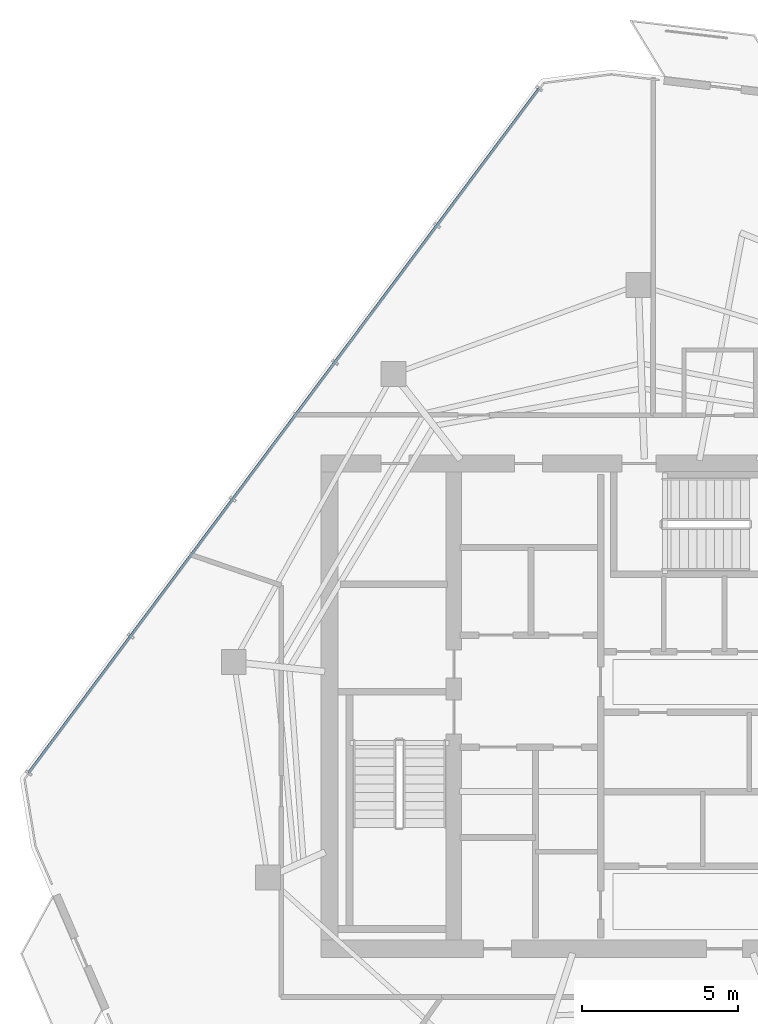
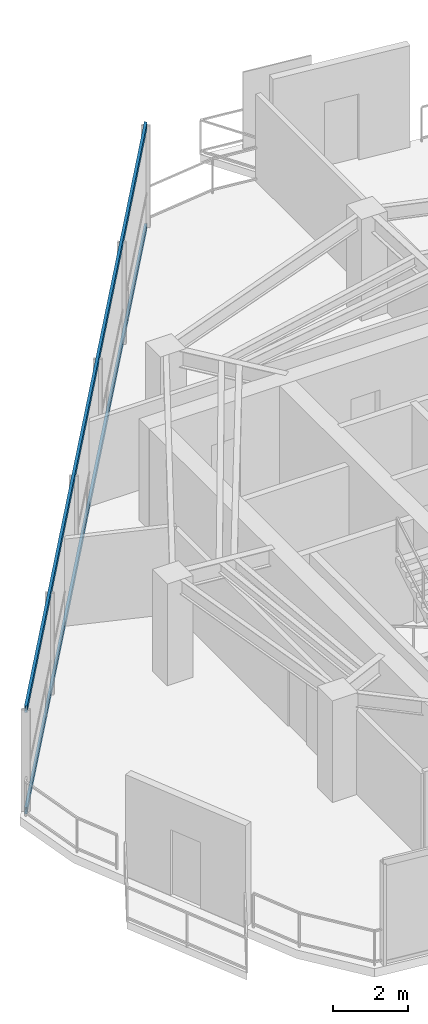
# One storey, part 7 of 18: 2 members, 1 element without a shape of its own.
"""IFC4 building model written with IfcOpenShell, lengths in metres."""

from ifc_helpers import new_model, si_unit, direction, frame, origin, origin_2d, place, context, subcontext, project, spatial, hollow_rectangle, extrude, material, layer, layer_set, material_profile, profile_set, type_object, element, aggregate, save


model = new_model("IFC4")

# Units and contexts
model_context = context("Model", 3, precision=1e-05, world=origin(), true_north=direction((0.0, 1.0)))
body_context = subcontext(model_context, "Body", "Model", "MODEL_VIEW")
ifc_project = project(units=[si_unit("LENGTHUNIT", "METRE"), si_unit("AREAUNIT", "SQUARE_METRE"), si_unit("VOLUMEUNIT", "CUBIC_METRE"), si_unit("PLANEANGLEUNIT", "RADIAN"), si_unit("MASSUNIT", "GRAM", prefix="KILO")], contexts=[model_context])

# Site, building, storey
site_placement = place(None, origin())
site = spatial("IfcSite", under=ifc_project, at=site_placement, CompositionType="ELEMENT")
building_placement = place(site_placement, origin())
building = spatial("IfcBuilding", under=site, at=building_placement, Name="Qarnah Convention Tower", CompositionType="ELEMENT")
storey_placement = place(building_placement, frame((0.0, 0.0, 267.89990234375)))
storey = spatial("IfcBuildingStorey", under=building, at=storey_placement, Name="L72", CompositionType="ELEMENT", Elevation=267.89990234375)

# Curtain wall, members
ifc_material_1 = material(Name="Tempered Low-E dark glass", Category="glass")
ifc_layer = layer(ifc_material_1, 0.176025390625)
ifc_layer_set = layer_set([ifc_layer], Name="Tempered Low-E dark glass")
curtain_wall_type = type_object("IfcCurtainWallType", Name="CWS-05", PredefinedType="NOTDEFINED", material=ifc_layer_set)
curtain_wall_placement = place(storey_placement, origin())
curtain_wall = element("IfcCurtainWall", 1, at=curtain_wall_placement, inside=storey, type_object=curtain_wall_type, Name="L72 unitised curtain wall CW-L72-F2", PredefinedType="NOTDEFINED")
ifc_material_2 = material(Name="Black anodised aluminium", Category="aluminium")
ifc_material_profile = material_profile(ifc_material_2, hollow_rectangle(XDim=0.080078125, YDim=0.2099609375, WallThickness=0.0048828125, at=origin_2d()), Name="TRN-80X210")
ifc_profile_set = profile_set([ifc_material_profile], Name="Black anodised aluminium")
member_type = type_object("IfcMemberType", Name="TRN-T5", PredefinedType="USERDEFINED", material=ifc_profile_set)
member_1_placement = place(storey_placement, frame((17.1279296875, 24.256103515625, 0.0), z_axis=(0.597878241676, 0.801586931112, 0.0), x_axis=(-0.801586931112, 0.597878241676, 0.0)))
member_1 = element("IfcMember", 2, at=member_1_placement, type_object=member_type, Name="CW-L72-F2 transom 1", ObjectType="TRANSOM", PredefinedType="USERDEFINED", context=body_context, shape_type="SweptSolid", body=[
    extrude(hollow_rectangle(XDim=0.080078125, YDim=0.2099609375, WallThickness=0.0048828125, at=origin_2d()), origin(), (0.0, 0.0, 1.0), 27.4404296875),
])
member_2_placement = place(storey_placement, frame((17.1279296875, 24.256103515625, 3.320068359375), z_axis=(0.597878241676, 0.801586931112, 0.0), x_axis=(-0.801586931112, 0.597878241676, 0.0)))
member_2 = element("IfcMember", 3, at=member_2_placement, type_object=member_type, Name="CW-L72-F2 transom 2", ObjectType="TRANSOM", PredefinedType="USERDEFINED", context=body_context, shape_type="SweptSolid", body=[
    extrude(hollow_rectangle(XDim=0.080078125, YDim=0.2099609375, WallThickness=0.0048828125, at=origin_2d()), origin(), (0.0, 0.0, 1.0), 27.4404296875),
])
aggregate(curtain_wall, [member_1, member_2])

save(model, "model.ifc")
